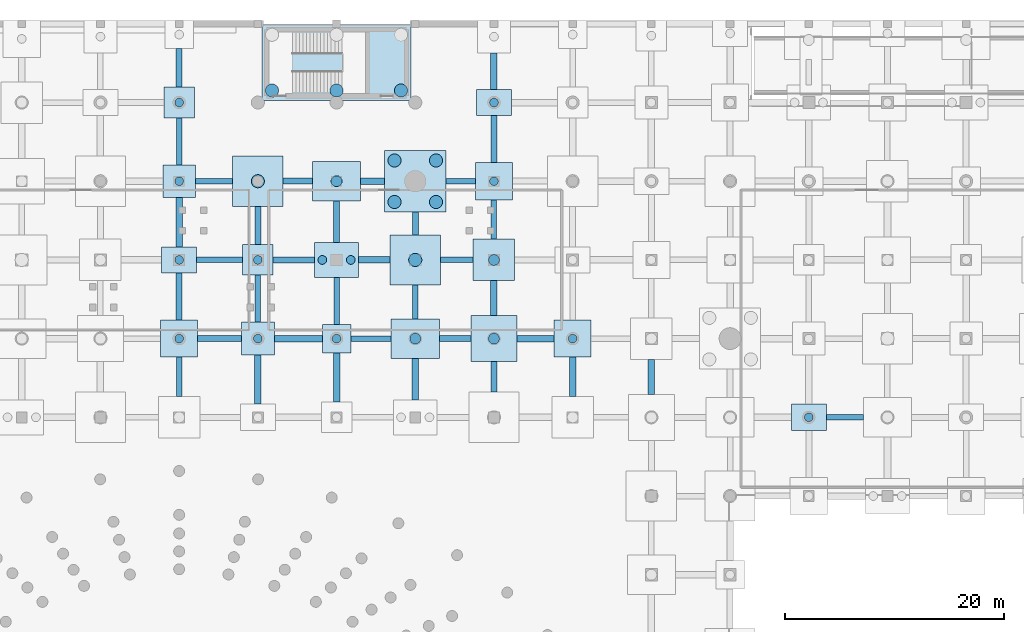
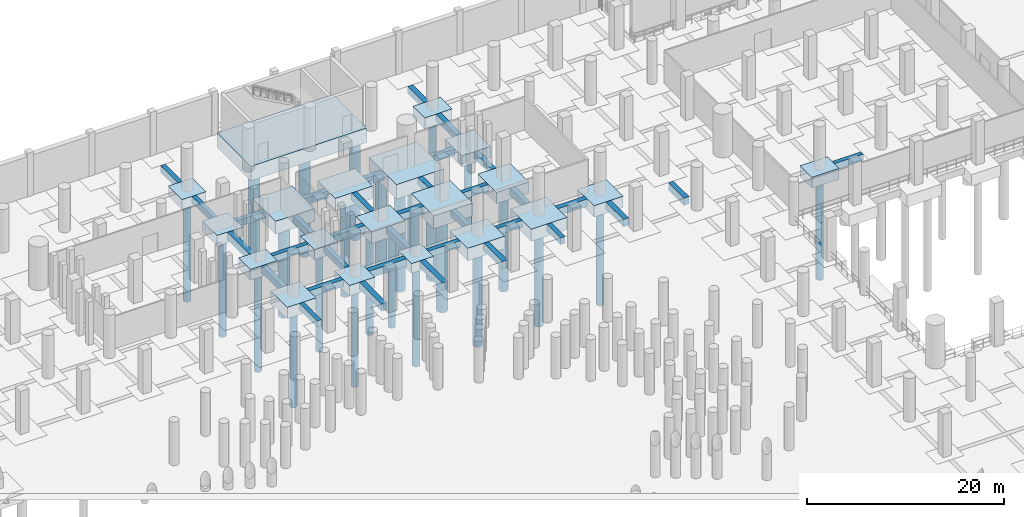
# One storey, part 10 of 37: 55 footings, 26 piles.
"""IFC4 building model written with IfcOpenShell, lengths in metres."""

from ifc_helpers import new_model, si_unit, direction, frame, origin, origin_2d, place, context, subcontext, project, spatial, rectangle, circle, extrude, material, material_profile, profile_set, type_object, element, save


model = new_model("IFC4")

# Units and contexts
model_context = context("Model", 3, precision=1e-05, world=origin(), true_north=direction((0.0, 1.0)))
body_context = subcontext(model_context, "Body", "Model", "MODEL_VIEW")
ifc_project = project(units=[si_unit("LENGTHUNIT", "METRE"), si_unit("AREAUNIT", "SQUARE_METRE"), si_unit("VOLUMEUNIT", "CUBIC_METRE"), si_unit("PLANEANGLEUNIT", "RADIAN"), si_unit("MASSUNIT", "GRAM", prefix="KILO")], contexts=[model_context])

# Site, building, storey
site_placement = place(None, origin())
site = spatial("IfcSite", under=ifc_project, at=site_placement, CompositionType="ELEMENT")
building_placement = place(site_placement, origin())
building = spatial("IfcBuilding", under=site, at=building_placement, Name="Qandorah Velis Arena", CompositionType="ELEMENT")
storey_placement = place(building_placement, frame((0.0, 0.0, -5.39990234375)))
storey = spatial("IfcBuildingStorey", under=building, at=storey_placement, Name="B1", CompositionType="ELEMENT", Elevation=-5.39990234375)

# Footings
ifc_material = material(Name="Concrete C40/50", Category="concrete")
footing_type_1 = type_object("IfcFootingType", Name="STR-CAP-PC10", PredefinedType="PILE_CAP", material=ifc_material)
footing_1_placement = place(storey_placement, frame((79.199951171875, 100.800048828125, -1.2001953125), z_axis=(0.0, 0.0, 1.0), x_axis=(1.0, 0.0, 0.0)))
element("IfcFooting", 1, at=footing_1_placement, inside=storey, type_object=footing_type_1, Name="Pile cap CAP-B1-167", PredefinedType="PILE_CAP", context=body_context, shape_type="SweptSolid", body=[
    extrude(rectangle(XDim=2.60009765625, YDim=2.60009765625, at=origin_2d()), origin(), (0.0, 0.0, 1.0), 1.199951171875),
])
footing_type_2 = type_object("IfcFootingType", Name="STR-CAP-PC11", PredefinedType="PILE_CAP", material=ifc_material)
footing_2_placement = place(storey_placement, frame((79.199951171875, 126.050048828125, -1.80029296875), z_axis=(0.0, 0.0, 1.0), x_axis=(1.0, 0.0, 0.0)))
element("IfcFooting", 2, at=footing_2_placement, inside=storey, type_object=footing_type_2, Name="Pile cap CAP-CORE-CORE-04", PredefinedType="PILE_CAP", context=body_context, shape_type="SweptSolid", body=[
    extrude(rectangle(XDim=13.60009765625, YDim=6.89990234375, at=origin_2d()), origin(), (0.0, 0.0, 1.0), 1.800048828125),
])
footing_type_3 = type_object("IfcFootingType", Name="STR-CAP-PC14", PredefinedType="PILE_CAP", material=ifc_material)
footing_3_placement = place(storey_placement, frame((79.199951171875, 108.0, -1.4501953125), z_axis=(0.0, 0.0, 1.0), x_axis=(1.0, 0.0, 0.0)))
element("IfcFooting", 3, at=footing_3_placement, inside=storey, type_object=footing_type_3, Name="Pile cap CAP-B1-168", PredefinedType="PILE_CAP", context=body_context, shape_type="SweptSolid", body=[
    extrude(rectangle(XDim=4.0, YDim=3.199951171875, at=origin_2d()), origin(), (0.0, 0.0, 1.0), 1.449951171875),
])
footing_type_4 = type_object("IfcFootingType", Name="STR-CAP-PC15", PredefinedType="PILE_CAP", material=ifc_material)
for number, where, z_axis, x_axis, name in (
    (4, (79.199951171875, 115.199951171875, -1.55029296875), (0.0, 0.0, 1.0), (1.0, 0.0, 0.0), "Pile cap CAP-B1-169"),
    (5, (86.39990234375, 100.800048828125, -1.55029296875), (0.0, 0.0, 1.0), (1.0, 0.0, 0.0), "Pile cap CAP-B1-179"),
):
    element("IfcFooting", number, at=place(storey_placement, frame(where, z_axis=z_axis, x_axis=x_axis)), inside=storey, type_object=footing_type_4, Name=name, PredefinedType="PILE_CAP", context=body_context, shape_type="SweptSolid", body=[
        extrude(rectangle(XDim=4.39990234375, YDim=3.60009765625, at=origin_2d()), origin(), (0.0, 0.0, 1.0), 1.550048828125),
    ])
footing_type_5 = type_object("IfcFootingType", Name="STR-CAP-PC2", PredefinedType="PILE_CAP", material=ifc_material)
footing_4_placement = place(storey_placement, frame((86.39990234375, 115.199951171875, -1.80029296875), z_axis=(0.0, 0.0, 1.0), x_axis=(1.0, 0.0, 0.0)))
element("IfcFooting", 6, at=footing_4_placement, inside=storey, type_object=footing_type_5, Name="Pile cap CAP-B1-181", PredefinedType="PILE_CAP", context=body_context, shape_type="SweptSolid", body=[
    extrude(rectangle(XDim=5.60009765625, YDim=5.60009765625, at=origin_2d()), origin(), (0.0, 0.0, 1.0), 1.800048828125),
])
footing_type_6 = type_object("IfcFootingType", Name="STR-CAP-PC3", PredefinedType="PILE_CAP", material=ifc_material)
for number, where, z_axis, x_axis, name in (
    (7, (72.0, 115.199951171875, -1.60009765625), (0.0, 0.0, 1.0), (1.0, 0.0, 0.0), "Pile cap CAP-B1-157"),
    (8, (86.39990234375, 108.0, -1.60009765625), (0.0, 0.0, 1.0), (1.0, 0.0, 0.0), "Pile cap CAP-B1-180"),
):
    element("IfcFooting", number, at=place(storey_placement, frame(where, z_axis=z_axis, x_axis=x_axis)), inside=storey, type_object=footing_type_6, Name=name, PredefinedType="PILE_CAP", context=body_context, shape_type="SweptSolid", body=[
        extrude(rectangle(XDim=4.60009765625, YDim=4.60009765625, at=origin_2d()), origin(), (0.0, 0.0, 1.0), 1.60009765625),
    ])
footing_type_7 = type_object("IfcFootingType", Name="STR-CAP-PC4", PredefinedType="PILE_CAP", material=ifc_material)
footing_5_placement = place(storey_placement, frame((93.60009765625, 100.800048828125, -1.5), z_axis=(0.0, 0.0, 1.0), x_axis=(1.0, 0.0, 0.0)))
element("IfcFooting", 9, at=footing_5_placement, inside=storey, type_object=footing_type_7, Name="Pile cap CAP-B1-191", PredefinedType="PILE_CAP", context=body_context, shape_type="SweptSolid", body=[
    extrude(rectangle(XDim=4.199951171875, YDim=4.199951171875, at=origin_2d()), origin(), (0.0, 0.0, 1.0), 1.5),
])
footing_type_8 = type_object("IfcFootingType", Name="STR-CAP-PC5", PredefinedType="PILE_CAP", material=ifc_material)
footing_6_placement = place(storey_placement, frame((93.60009765625, 108.0, -1.400146484375), z_axis=(0.0, 0.0, 1.0), x_axis=(1.0, 0.0, 0.0)))
element("IfcFooting", 10, at=footing_6_placement, inside=storey, type_object=footing_type_8, Name="Pile cap CAP-B1-192", PredefinedType="PILE_CAP", context=body_context, shape_type="SweptSolid", body=[
    extrude(rectangle(XDim=3.800048828125, YDim=3.800048828125, at=origin_2d()), origin(), (0.0, 0.0, 1.0), 1.39990234375),
])
footing_type_9 = type_object("IfcFootingType", Name="STR-CAP-PC6", PredefinedType="PILE_CAP", material=ifc_material)
for number, where, z_axis, x_axis, name in (
    (11, (64.800048828125, 100.800048828125, -1.400146484375), (0.0, 0.0, 1.0), (1.0, 0.0, 0.0), "Pile cap CAP-B1-143"),
    (12, (93.60009765625, 115.199951171875, -1.400146484375), (0.0, 0.0, 1.0), (1.0, 0.0, 0.0), "Pile cap CAP-B1-193"),
    (13, (100.800048828125, 100.800048828125, -1.400146484375), (0.0, 0.0, 1.0), (1.0, 0.0, 0.0), "Pile cap CAP-B1-203"),
):
    element("IfcFooting", number, at=place(storey_placement, frame(where, z_axis=z_axis, x_axis=x_axis)), inside=storey, type_object=footing_type_9, Name=name, PredefinedType="PILE_CAP", context=body_context, shape_type="SweptSolid", body=[
        extrude(rectangle(XDim=3.39990234375, YDim=3.39990234375, at=origin_2d()), origin(), (0.0, 0.0, 1.0), 1.39990234375),
    ])
footing_type_10 = type_object("IfcFootingType", Name="STR-CAP-PC7", PredefinedType="PILE_CAP", material=ifc_material)
for number, where, z_axis, x_axis, name in (
    (14, (64.800048828125, 108.0, -1.35009765625), (0.0, 0.0, 1.0), (1.0, 0.0, 0.0), "Pile cap CAP-B1-144"),
    (15, (93.60009765625, 122.39990234375, -1.35009765625), (0.0, 0.0, 1.0), (1.0, 0.0, 0.0), "Pile cap CAP-B1-194"),
    (16, (122.39990234375, 93.60009765625, -1.35009765625), (0.0, 0.0, 1.0), (1.0, 0.0, 0.0), "Pile cap CAP-B1-254"),
):
    element("IfcFooting", number, at=place(storey_placement, frame(where, z_axis=z_axis, x_axis=x_axis)), inside=storey, type_object=footing_type_10, Name=name, PredefinedType="PILE_CAP", context=body_context, shape_type="SweptSolid", body=[
        extrude(rectangle(XDim=3.199951171875, YDim=2.39990234375, at=origin_2d()), origin(), (0.0, 0.0, 1.0), 1.35009765625),
    ])
footing_type_11 = type_object("IfcFootingType", Name="STR-CAP-PC8", PredefinedType="PILE_CAP", material=ifc_material)
for number, where, z_axis, x_axis, name in (
    (17, (64.800048828125, 115.199951171875, -1.30029296875), (0.0, 0.0, 1.0), (1.0, 0.0, 0.0), "Pile cap CAP-B1-145"),
    (18, (72.0, 100.800048828125, -1.30029296875), (0.0, 0.0, 1.0), (1.0, 0.0, 0.0), "Pile cap CAP-B1-155"),
):
    element("IfcFooting", number, at=place(storey_placement, frame(where, z_axis=z_axis, x_axis=x_axis)), inside=storey, type_object=footing_type_11, Name=name, PredefinedType="PILE_CAP", context=body_context, shape_type="SweptSolid", body=[
        extrude(rectangle(XDim=3.0, YDim=3.0, at=origin_2d()), origin(), (0.0, 0.0, 1.0), 1.300048828125),
    ])
footing_type_12 = type_object("IfcFootingType", Name="STR-CAP-PC9", PredefinedType="PILE_CAP", material=ifc_material)
for number, where, z_axis, x_axis, name in (
    (19, (64.800048828125, 122.39990234375, -1.25), (0.0, 0.0, 1.0), (1.0, 0.0, 0.0), "Pile cap CAP-B1-146"),
    (20, (72.0, 108.0, -1.25), (0.0, 0.0, 1.0), (1.0, 0.0, 0.0), "Pile cap CAP-B1-156"),
):
    element("IfcFooting", number, at=place(storey_placement, frame(where, z_axis=z_axis, x_axis=x_axis)), inside=storey, type_object=footing_type_12, Name=name, PredefinedType="PILE_CAP", context=body_context, shape_type="SweptSolid", body=[
        extrude(rectangle(XDim=2.800048828125, YDim=2.800048828125, at=origin_2d()), origin(), (0.0, 0.0, 1.0), 1.25),
    ])
ifc_material_profile_1 = material_profile(ifc_material, rectangle(XDim=0.60009765625, YDim=0.89990234375, at=origin_2d()), Name="GB1 600x900")
ifc_profile_set_1 = profile_set([ifc_material_profile_1], Name="Concrete C40/50")
footing_type_13 = type_object("IfcFootingType", Name="STR-GB-FB1", PredefinedType="FOOTING_BEAM", material=ifc_profile_set_1)
for number, where, z_axis, x_axis, name in (
    (21, (64.800048828125, 109.199951171875, -0.4501953125), (0.0, 1.0, 0.0), (-1.0, 0.0, 0.0), "Ground tie beam GB-102"),
    (22, (72.0, 94.800048828125, -0.4501953125), (0.0, 1.0, 0.0), (-1.0, 0.0, 0.0), "Ground tie beam GB-108"),
    (23, (79.199951171875, 95.0, -0.4501953125), (0.0, 1.0, 0.0), (-1.0, 0.0, 0.0), "Ground tie beam GB-114"),
):
    element("IfcFooting", number, at=place(storey_placement, frame(where, z_axis=z_axis, x_axis=x_axis)), inside=storey, type_object=footing_type_13, Name=name, PredefinedType="FOOTING_BEAM", context=body_context, shape_type="SweptSolid", body=[
        extrude(rectangle(XDim=0.60009765625, YDim=0.89990234375, at=origin_2d()), origin(), (0.0, 0.0, 1.0), 4.5),
    ])
footing_7_placement = place(storey_placement, frame((86.39990234375, 95.199951171875, -0.4501953125), z_axis=(0.0, 1.0, 0.0), x_axis=(-1.0, 0.0, 0.0)))
element("IfcFooting", 24, at=footing_7_placement, inside=storey, type_object=footing_type_13, Name="Ground tie beam GB-120", PredefinedType="FOOTING_BEAM", context=body_context, shape_type="SweptSolid", body=[
    extrude(rectangle(XDim=0.60009765625, YDim=0.89990234375, at=origin_2d()), origin(), (0.0, 0.0, 1.0), 3.800048828125),
])
footing_8_placement = place(storey_placement, frame((93.60009765625, 102.89990234375, -0.4501953125), z_axis=(0.0, 1.0, 0.0), x_axis=(-1.0, 0.0, 0.0)))
element("IfcFooting", 25, at=footing_8_placement, inside=storey, type_object=footing_type_13, Name="Ground tie beam GB-129", PredefinedType="FOOTING_BEAM", context=body_context, shape_type="SweptSolid", body=[
    extrude(rectangle(XDim=0.60009765625, YDim=0.89990234375, at=origin_2d()), origin(), (0.0, 0.0, 1.0), 3.2001953125),
])
footing_9_placement = place(storey_placement, frame((93.60009765625, 123.60009765625, -0.4501953125), z_axis=(0.0, 1.0, 0.0), x_axis=(-1.0, 0.0, 0.0)))
element("IfcFooting", 26, at=footing_9_placement, inside=storey, type_object=footing_type_13, Name="Ground tie beam GB-132", PredefinedType="FOOTING_BEAM", context=body_context, shape_type="SweptSolid", body=[
    extrude(rectangle(XDim=0.60009765625, YDim=0.89990234375, at=origin_2d()), origin(), (0.0, 0.0, 1.0), 3.31982421875),
])
footing_10_placement = place(storey_placement, frame((100.800048828125, 95.5, -0.4501953125), z_axis=(0.0, 1.0, 0.0), x_axis=(-1.0, 0.0, 0.0)))
element("IfcFooting", 27, at=footing_10_placement, inside=storey, type_object=footing_type_13, Name="Ground tie beam GB-138", PredefinedType="FOOTING_BEAM", context=body_context, shape_type="SweptSolid", body=[
    extrude(rectangle(XDim=0.60009765625, YDim=0.89990234375, at=origin_2d()), origin(), (0.0, 0.0, 1.0), 3.60009765625),
])
footing_11_placement = place(storey_placement, frame((108.0, 95.699951171875, -0.4501953125), z_axis=(0.0, 1.0, 0.0), x_axis=(-1.0, 0.0, 0.0)))
element("IfcFooting", 28, at=footing_11_placement, inside=storey, type_object=footing_type_13, Name="Ground tie beam GB-156", PredefinedType="FOOTING_BEAM", context=body_context, shape_type="SweptSolid", body=[
    extrude(rectangle(XDim=0.60009765625, YDim=0.89990234375, at=origin_2d()), origin(), (0.0, 0.0, 1.0), 3.199951171875),
])
footing_12_placement = place(storey_placement, frame((73.5, 100.800048828125, -0.4501953125), z_axis=(1.0, 0.0, 0.0), x_axis=(0.0, 1.0, 0.0)))
element("IfcFooting", 29, at=footing_12_placement, inside=storey, type_object=footing_type_13, Name="Ground tie beam GB-456", PredefinedType="FOOTING_BEAM", context=body_context, shape_type="SweptSolid", body=[
    extrude(rectangle(XDim=0.60009765625, YDim=0.89990234375, at=origin_2d()), origin(), (0.0, 0.0, 1.0), 4.39990234375),
])
footing_13_placement = place(storey_placement, frame((95.699951171875, 100.800048828125, -0.4501953125), z_axis=(1.0, 0.0, 0.0), x_axis=(0.0, 1.0, 0.0)))
element("IfcFooting", 30, at=footing_13_placement, inside=storey, type_object=footing_type_13, Name="Ground tie beam GB-459", PredefinedType="FOOTING_BEAM", context=body_context, shape_type="SweptSolid", body=[
    extrude(rectangle(XDim=0.60009765625, YDim=0.89990234375, at=origin_2d()), origin(), (0.0, 0.0, 1.0), 3.400146484375),
])
footing_14_placement = place(storey_placement, frame((81.199951171875, 108.0, -0.4501953125), z_axis=(1.0, 0.0, 0.0), x_axis=(0.0, 1.0, 0.0)))
element("IfcFooting", 31, at=footing_14_placement, inside=storey, type_object=footing_type_13, Name="Ground tie beam GB-480", PredefinedType="FOOTING_BEAM", context=body_context, shape_type="SweptSolid", body=[
    extrude(rectangle(XDim=0.60009765625, YDim=0.89990234375, at=origin_2d()), origin(), (0.0, 0.0, 1.0), 2.900146484375),
])
footing_15_placement = place(storey_placement, frame((81.39990234375, 115.199951171875, -0.4501953125), z_axis=(1.0, 0.0, 0.0), x_axis=(0.0, 1.0, 0.0)))
element("IfcFooting", 32, at=footing_15_placement, inside=storey, type_object=footing_type_13, Name="Ground tie beam GB-501", PredefinedType="FOOTING_BEAM", context=body_context, shape_type="SweptSolid", body=[
    extrude(rectangle(XDim=0.60009765625, YDim=0.89990234375, at=origin_2d()), origin(), (0.0, 0.0, 1.0), 2.2001953125),
])
ifc_material_profile_2 = material_profile(ifc_material, rectangle(XDim=0.5, YDim=0.800048828125, at=origin_2d()), Name="GB2 500x800")
ifc_profile_set_2 = profile_set([ifc_material_profile_2], Name="Concrete C40/50")
footing_type_14 = type_object("IfcFootingType", Name="STR-GB-FB2", PredefinedType="FOOTING_BEAM", material=ifc_profile_set_2)
footing_16_placement = place(storey_placement, frame((64.800048828125, 95.5, -0.400146484375), z_axis=(0.0, 1.0, 0.0), x_axis=(-1.0, 0.0, 0.0)))
element("IfcFooting", 33, at=footing_16_placement, inside=storey, type_object=footing_type_14, Name="Ground tie beam GB-100", PredefinedType="FOOTING_BEAM", context=body_context, shape_type="SweptSolid", body=[
    extrude(rectangle(XDim=0.5, YDim=0.800048828125, at=origin_2d()), origin(), (0.0, 0.0, 1.0), 3.60009765625),
])
for number, where, z_axis, x_axis, name in (
    (34, (64.800048828125, 116.699951171875, -0.400146484375), (0.0, 1.0, 0.0), (-1.0, 0.0, 0.0), "Ground tie beam GB-103"),
    (35, (72.0, 102.300048828125, -0.400146484375), (0.0, 1.0, 0.0), (-1.0, 0.0, 0.0), "Ground tie beam GB-109"),
):
    element("IfcFooting", number, at=place(storey_placement, frame(where, z_axis=z_axis, x_axis=x_axis)), inside=storey, type_object=footing_type_14, Name=name, PredefinedType="FOOTING_BEAM", context=body_context, shape_type="SweptSolid", body=[
        extrude(rectangle(XDim=0.5, YDim=0.800048828125, at=origin_2d()), origin(), (0.0, 0.0, 1.0), 4.300048828125),
    ])
footing_17_placement = place(storey_placement, frame((79.199951171875, 102.10009765625, -0.400146484375), z_axis=(0.0, 1.0, 0.0), x_axis=(-1.0, 0.0, 0.0)))
element("IfcFooting", 36, at=footing_17_placement, inside=storey, type_object=footing_type_14, Name="Ground tie beam GB-115", PredefinedType="FOOTING_BEAM", context=body_context, shape_type="SweptSolid", body=[
    extrude(rectangle(XDim=0.5, YDim=0.800048828125, at=origin_2d()), origin(), (0.0, 0.0, 1.0), 4.2998046875),
])
footing_18_placement = place(storey_placement, frame((86.39990234375, 102.60009765625, -0.400146484375), z_axis=(0.0, 1.0, 0.0), x_axis=(-1.0, 0.0, 0.0)))
element("IfcFooting", 37, at=footing_18_placement, inside=storey, type_object=footing_type_14, Name="Ground tie beam GB-121", PredefinedType="FOOTING_BEAM", context=body_context, shape_type="SweptSolid", body=[
    extrude(rectangle(XDim=0.5, YDim=0.800048828125, at=origin_2d()), origin(), (0.0, 0.0, 1.0), 3.099853515625),
])
footing_19_placement = place(storey_placement, frame((93.60009765625, 109.89990234375, -0.400146484375), z_axis=(0.0, 1.0, 0.0), x_axis=(-1.0, 0.0, 0.0)))
element("IfcFooting", 38, at=footing_19_placement, inside=storey, type_object=footing_type_14, Name="Ground tie beam GB-130", PredefinedType="FOOTING_BEAM", context=body_context, shape_type="SweptSolid", body=[
    extrude(rectangle(XDim=0.5, YDim=0.800048828125, at=origin_2d()), origin(), (0.0, 0.0, 1.0), 3.60009765625),
])
footing_20_placement = place(storey_placement, frame((124.0, 93.60009765625, -0.400146484375), z_axis=(1.0, 0.0, 0.0), x_axis=(0.0, 1.0, 0.0)))
element("IfcFooting", 39, at=footing_20_placement, inside=storey, type_object=footing_type_14, Name="Ground tie beam GB-442", PredefinedType="FOOTING_BEAM", context=body_context, shape_type="SweptSolid", body=[
    extrude(rectangle(XDim=0.5, YDim=0.800048828125, at=origin_2d()), origin(), (0.0, 0.0, 1.0), 3.39990234375),
])
footing_21_placement = place(storey_placement, frame((80.5, 100.800048828125, -0.400146484375), z_axis=(1.0, 0.0, 0.0), x_axis=(0.0, 1.0, 0.0)))
element("IfcFooting", 40, at=footing_21_placement, inside=storey, type_object=footing_type_14, Name="Ground tie beam GB-457", PredefinedType="FOOTING_BEAM", context=body_context, shape_type="SweptSolid", body=[
    extrude(rectangle(XDim=0.5, YDim=0.800048828125, at=origin_2d()), origin(), (0.0, 0.0, 1.0), 3.699951171875),
])
footing_22_placement = place(storey_placement, frame((66.39990234375, 108.0, -0.400146484375), z_axis=(1.0, 0.0, 0.0), x_axis=(0.0, 1.0, 0.0)))
element("IfcFooting", 41, at=footing_22_placement, inside=storey, type_object=footing_type_14, Name="Ground tie beam GB-478", PredefinedType="FOOTING_BEAM", context=body_context, shape_type="SweptSolid", body=[
    extrude(rectangle(XDim=0.5, YDim=0.800048828125, at=origin_2d()), origin(), (0.0, 0.0, 1.0), 4.2001953125),
])
footing_23_placement = place(storey_placement, frame((88.699951171875, 108.0, -0.400146484375), z_axis=(1.0, 0.0, 0.0), x_axis=(0.0, 1.0, 0.0)))
element("IfcFooting", 42, at=footing_23_placement, inside=storey, type_object=footing_type_14, Name="Ground tie beam GB-481", PredefinedType="FOOTING_BEAM", context=body_context, shape_type="SweptSolid", body=[
    extrude(rectangle(XDim=0.5, YDim=0.800048828125, at=origin_2d()), origin(), (0.0, 0.0, 1.0), 3.0),
])
footing_24_placement = place(storey_placement, frame((66.300048828125, 115.199951171875, -0.400146484375), z_axis=(1.0, 0.0, 0.0), x_axis=(0.0, 1.0, 0.0)))
element("IfcFooting", 43, at=footing_24_placement, inside=storey, type_object=footing_type_14, Name="Ground tie beam GB-499", PredefinedType="FOOTING_BEAM", context=body_context, shape_type="SweptSolid", body=[
    extrude(rectangle(XDim=0.5, YDim=0.800048828125, at=origin_2d()), origin(), (0.0, 0.0, 1.0), 3.39990234375),
])
footing_25_placement = place(storey_placement, frame((89.199951171875, 115.199951171875, -0.400146484375), z_axis=(1.0, 0.0, 0.0), x_axis=(0.0, 1.0, 0.0)))
element("IfcFooting", 44, at=footing_25_placement, inside=storey, type_object=footing_type_14, Name="Ground tie beam GB-502", PredefinedType="FOOTING_BEAM", context=body_context, shape_type="SweptSolid", body=[
    extrude(rectangle(XDim=0.5, YDim=0.800048828125, at=origin_2d()), origin(), (0.0, 0.0, 1.0), 2.699951171875),
])
ifc_material_profile_3 = material_profile(ifc_material, rectangle(XDim=0.550048828125, YDim=0.85009765625, at=origin_2d()), Name="GB3 550x850")
ifc_profile_set_3 = profile_set([ifc_material_profile_3], Name="Concrete C40/50")
footing_type_15 = type_object("IfcFootingType", Name="STR-GB-FB3", PredefinedType="FOOTING_BEAM", material=ifc_profile_set_3)
footing_26_placement = place(storey_placement, frame((64.800048828125, 102.5, -0.425048828125), z_axis=(0.0, 1.0, 0.0), x_axis=(-1.0, 0.0, 0.0)))
element("IfcFooting", 45, at=footing_26_placement, inside=storey, type_object=footing_type_15, Name="Ground tie beam GB-101", PredefinedType="FOOTING_BEAM", context=body_context, shape_type="SweptSolid", body=[
    extrude(rectangle(XDim=0.550048828125, YDim=0.85009765625, at=origin_2d()), origin(), (0.0, 0.0, 1.0), 4.300048828125),
])
footing_27_placement = place(storey_placement, frame((64.800048828125, 123.800048828125, -0.425048828125), z_axis=(0.0, 1.0, 0.0), x_axis=(-1.0, 0.0, 0.0)))
element("IfcFooting", 46, at=footing_27_placement, inside=storey, type_object=footing_type_15, Name="Ground tie beam GB-104", PredefinedType="FOOTING_BEAM", context=body_context, shape_type="SweptSolid", body=[
    extrude(rectangle(XDim=0.550048828125, YDim=0.85009765625, at=origin_2d()), origin(), (0.0, 0.0, 1.0), 3.52001953125),
])
footing_28_placement = place(storey_placement, frame((72.0, 109.39990234375, -0.425048828125), z_axis=(0.0, 1.0, 0.0), x_axis=(-1.0, 0.0, 0.0)))
element("IfcFooting", 47, at=footing_28_placement, inside=storey, type_object=footing_type_15, Name="Ground tie beam GB-110", PredefinedType="FOOTING_BEAM", context=body_context, shape_type="SweptSolid", body=[
    extrude(rectangle(XDim=0.550048828125, YDim=0.85009765625, at=origin_2d()), origin(), (0.0, 0.0, 1.0), 3.5),
])
footing_29_placement = place(storey_placement, frame((79.199951171875, 109.60009765625, -0.425048828125), z_axis=(0.0, 1.0, 0.0), x_axis=(-1.0, 0.0, 0.0)))
element("IfcFooting", 48, at=footing_29_placement, inside=storey, type_object=footing_type_15, Name="Ground tie beam GB-116", PredefinedType="FOOTING_BEAM", context=body_context, shape_type="SweptSolid", body=[
    extrude(rectangle(XDim=0.550048828125, YDim=0.85009765625, at=origin_2d()), origin(), (0.0, 0.0, 1.0), 3.7998046875),
])
footing_30_placement = place(storey_placement, frame((86.39990234375, 110.300048828125, -0.425048828125), z_axis=(0.0, 1.0, 0.0), x_axis=(-1.0, 0.0, 0.0)))
element("IfcFooting", 49, at=footing_30_placement, inside=storey, type_object=footing_type_15, Name="Ground tie beam GB-122", PredefinedType="FOOTING_BEAM", context=body_context, shape_type="SweptSolid", body=[
    extrude(rectangle(XDim=0.550048828125, YDim=0.85009765625, at=origin_2d()), origin(), (0.0, 0.0, 1.0), 2.099853515625),
])
footing_31_placement = place(storey_placement, frame((93.60009765625, 95.89990234375, -0.425048828125), z_axis=(0.0, 1.0, 0.0), x_axis=(-1.0, 0.0, 0.0)))
element("IfcFooting", 50, at=footing_31_placement, inside=storey, type_object=footing_type_15, Name="Ground tie beam GB-128", PredefinedType="FOOTING_BEAM", context=body_context, shape_type="SweptSolid", body=[
    extrude(rectangle(XDim=0.550048828125, YDim=0.85009765625, at=origin_2d()), origin(), (0.0, 0.0, 1.0), 2.800048828125),
])
footing_32_placement = place(storey_placement, frame((93.60009765625, 116.89990234375, -0.425048828125), z_axis=(0.0, 1.0, 0.0), x_axis=(-1.0, 0.0, 0.0)))
element("IfcFooting", 51, at=footing_32_placement, inside=storey, type_object=footing_type_15, Name="Ground tie beam GB-131", PredefinedType="FOOTING_BEAM", context=body_context, shape_type="SweptSolid", body=[
    extrude(rectangle(XDim=0.550048828125, YDim=0.85009765625, at=origin_2d()), origin(), (0.0, 0.0, 1.0), 4.300048828125),
])
footing_33_placement = place(storey_placement, frame((66.5, 100.800048828125, -0.425048828125), z_axis=(1.0, 0.0, 0.0), x_axis=(0.0, 1.0, 0.0)))
element("IfcFooting", 52, at=footing_33_placement, inside=storey, type_object=footing_type_15, Name="Ground tie beam GB-455", PredefinedType="FOOTING_BEAM", context=body_context, shape_type="SweptSolid", body=[
    extrude(rectangle(XDim=0.550048828125, YDim=0.85009765625, at=origin_2d()), origin(), (0.0, 0.0, 1.0), 4.0),
])
footing_34_placement = place(storey_placement, frame((88.60009765625, 100.800048828125, -0.425048828125), z_axis=(1.0, 0.0, 0.0), x_axis=(0.0, 1.0, 0.0)))
element("IfcFooting", 53, at=footing_34_placement, inside=storey, type_object=footing_type_15, Name="Ground tie beam GB-458", PredefinedType="FOOTING_BEAM", context=body_context, shape_type="SweptSolid", body=[
    extrude(rectangle(XDim=0.550048828125, YDim=0.85009765625, at=origin_2d()), origin(), (0.0, 0.0, 1.0), 2.89990234375),
])
footing_35_placement = place(storey_placement, frame((73.39990234375, 108.0, -0.425048828125), z_axis=(1.0, 0.0, 0.0), x_axis=(0.0, 1.0, 0.0)))
element("IfcFooting", 54, at=footing_35_placement, inside=storey, type_object=footing_type_15, Name="Ground tie beam GB-479", PredefinedType="FOOTING_BEAM", context=body_context, shape_type="SweptSolid", body=[
    extrude(rectangle(XDim=0.550048828125, YDim=0.85009765625, at=origin_2d()), origin(), (0.0, 0.0, 1.0), 3.800048828125),
])
footing_36_placement = place(storey_placement, frame((74.300048828125, 115.199951171875, -0.425048828125), z_axis=(1.0, 0.0, 0.0), x_axis=(0.0, 1.0, 0.0)))
element("IfcFooting", 55, at=footing_36_placement, inside=storey, type_object=footing_type_15, Name="Ground tie beam GB-500", PredefinedType="FOOTING_BEAM", context=body_context, shape_type="SweptSolid", body=[
    extrude(rectangle(XDim=0.550048828125, YDim=0.85009765625, at=origin_2d()), origin(), (0.0, 0.0, 1.0), 2.699951171875),
])

# Piles
ifc_material_profile_4 = material_profile(ifc_material, circle(Radius=0.5, at=origin_2d()), Name="BORED PILE D1000")
ifc_profile_set_4 = profile_set([ifc_material_profile_4], Name="Concrete C40/50")
pile_type_1 = type_object("IfcPileType", Name="STR-PILE-BP1000", PredefinedType="BORED", material=ifc_profile_set_4)
for number, where, z_axis, x_axis, name in (
    (56, (79.199951171875, 115.199951171875, -1.4501953125), (0.0, 0.0, -1.0), (1.0, 0.0, 0.0), "Bored pile PILE-CAP-B1-169-11"),
    (57, (86.39990234375, 100.800048828125, -1.4501953125), (0.0, 0.0, -1.0), (1.0, 0.0, 0.0), "Bored pile PILE-CAP-B1-179-11"),
):
    element("IfcPile", number, at=place(storey_placement, frame(where, z_axis=z_axis, x_axis=x_axis)), inside=storey, type_object=pile_type_1, Name=name, PredefinedType="BORED", context=body_context, shape_type="SweptSolid", body=[
        extrude(circle(Radius=0.5, at=origin_2d()), origin(), (0.0, 0.0, 1.0), 12.35009765625),
    ])
pile_1_placement = place(storey_placement, frame((93.60009765625, 100.800048828125, -1.400146484375), z_axis=(0.0, 0.0, -1.0), x_axis=(1.0, 0.0, 0.0)))
element("IfcPile", 58, at=pile_1_placement, inside=storey, type_object=pile_type_1, Name="Bored pile PILE-CAP-B1-191-11", PredefinedType="BORED", context=body_context, shape_type="SweptSolid", body=[
    extrude(circle(Radius=0.5, at=origin_2d()), origin(), (0.0, 0.0, 1.0), 12.39990234375),
])
pile_2_placement = place(storey_placement, frame((93.60009765625, 108.0, -1.300048828125), z_axis=(0.0, 0.0, -1.0), x_axis=(1.0, 0.0, 0.0)))
element("IfcPile", 59, at=pile_2_placement, inside=storey, type_object=pile_type_1, Name="Bored pile PILE-CAP-B1-192-11", PredefinedType="BORED", context=body_context, shape_type="SweptSolid", body=[
    extrude(circle(Radius=0.5, at=origin_2d()), origin(), (0.0, 0.0, 1.0), 12.5),
])
ifc_material_profile_5 = material_profile(ifc_material, circle(Radius=0.60009765625, at=origin_2d()), Name="BORED PILE D1200")
ifc_profile_set_5 = profile_set([ifc_material_profile_5], Name="Concrete C40/50")
pile_type_2 = type_object("IfcPileType", Name="STR-PILE-BP1200", PredefinedType="BORED", material=ifc_profile_set_5)
for number, where, z_axis, x_axis, name in (
    (60, (73.300048828125, 123.5, -1.7001953125), (0.0, 0.0, -1.0), (1.0, 0.0, 0.0), "Bored pile PILE-CAP-CORE-CORE-04-11"),
    (61, (79.199951171875, 123.5, -1.7001953125), (0.0, 0.0, -1.0), (1.0, 0.0, 0.0), "Bored pile PILE-CAP-CORE-CORE-04-21"),
    (62, (85.10009765625, 123.5, -1.7001953125), (0.0, 0.0, -1.0), (1.0, 0.0, 0.0), "Bored pile PILE-CAP-CORE-CORE-04-31"),
):
    element("IfcPile", number, at=place(storey_placement, frame(where, z_axis=z_axis, x_axis=x_axis)), inside=storey, type_object=pile_type_2, Name=name, PredefinedType="BORED", context=body_context, shape_type="SweptSolid", body=[
        extrude(circle(Radius=0.60009765625, at=origin_2d()), origin(), (0.0, 0.0, 1.0), 12.10009765625),
    ])
for number, where, z_axis, x_axis, name in (
    (63, (72.0, 115.199951171875, -1.5), (0.0, 0.0, -1.0), (1.0, 0.0, 0.0), "Bored pile PILE-CAP-B1-157-11"),
    (64, (86.39990234375, 108.0, -1.5), (0.0, 0.0, -1.0), (1.0, 0.0, 0.0), "Bored pile PILE-CAP-B1-180-11"),
):
    element("IfcPile", number, at=place(storey_placement, frame(where, z_axis=z_axis, x_axis=x_axis)), inside=storey, type_object=pile_type_2, Name=name, PredefinedType="BORED", context=body_context, shape_type="SweptSolid", body=[
        extrude(circle(Radius=0.60009765625, at=origin_2d()), origin(), (0.0, 0.0, 1.0), 12.300048828125),
    ])
for number, where, z_axis, x_axis, name in (
    (65, (84.5, 113.300048828125, -1.7001953125), (0.0, 0.0, -1.0), (1.0, 0.0, 0.0), "Bored pile PILE-CAP-B1-181-11"),
    (66, (84.5, 117.10009765625, -1.7001953125), (0.0, 0.0, -1.0), (1.0, 0.0, 0.0), "Bored pile PILE-CAP-B1-181-12"),
    (67, (88.300048828125, 113.300048828125, -1.7001953125), (0.0, 0.0, -1.0), (1.0, 0.0, 0.0), "Bored pile PILE-CAP-B1-181-21"),
    (68, (88.300048828125, 117.10009765625, -1.7001953125), (0.0, 0.0, -1.0), (1.0, 0.0, 0.0), "Bored pile PILE-CAP-B1-181-22"),
):
    element("IfcPile", number, at=place(storey_placement, frame(where, z_axis=z_axis, x_axis=x_axis)), inside=storey, type_object=pile_type_2, Name=name, PredefinedType="BORED", context=body_context, shape_type="SweptSolid", body=[
        extrude(circle(Radius=0.60009765625, at=origin_2d()), origin(), (0.0, 0.0, 1.0), 12.10009765625),
    ])
ifc_material_profile_6 = material_profile(ifc_material, circle(Radius=0.39990234375, at=origin_2d()), Name="BORED PILE D800")
ifc_profile_set_6 = profile_set([ifc_material_profile_6], Name="Concrete C40/50")
pile_type_3 = type_object("IfcPileType", Name="STR-PILE-BP800", PredefinedType="BORED", material=ifc_profile_set_6)
pile_3_placement = place(storey_placement, frame((64.800048828125, 100.800048828125, -1.300048828125), z_axis=(0.0, 0.0, -1.0), x_axis=(1.0, 0.0, 0.0)))
element("IfcPile", 69, at=pile_3_placement, inside=storey, type_object=pile_type_3, Name="Bored pile PILE-CAP-B1-143-11", PredefinedType="BORED", context=body_context, shape_type="SweptSolid", body=[
    extrude(circle(Radius=0.39990234375, at=origin_2d()), origin(), (0.0, 0.0, 1.0), 12.5),
])
pile_4_placement = place(storey_placement, frame((64.800048828125, 108.0, -1.25), z_axis=(0.0, 0.0, -1.0), x_axis=(1.0, 0.0, 0.0)))
element("IfcPile", 70, at=pile_4_placement, inside=storey, type_object=pile_type_3, Name="Bored pile PILE-CAP-B1-144-11", PredefinedType="BORED", context=body_context, shape_type="SweptSolid", body=[
    extrude(circle(Radius=0.39990234375, at=origin_2d()), origin(), (0.0, 0.0, 1.0), 12.550048828125),
])
pile_5_placement = place(storey_placement, frame((64.800048828125, 115.199951171875, -1.2001953125), z_axis=(0.0, 0.0, -1.0), x_axis=(1.0, 0.0, 0.0)))
element("IfcPile", 71, at=pile_5_placement, inside=storey, type_object=pile_type_3, Name="Bored pile PILE-CAP-B1-145-11", PredefinedType="BORED", context=body_context, shape_type="SweptSolid", body=[
    extrude(circle(Radius=0.39990234375, at=origin_2d()), origin(), (0.0, 0.0, 1.0), 12.60009765625),
])
pile_6_placement = place(storey_placement, frame((64.800048828125, 122.39990234375, -1.150146484375), z_axis=(0.0, 0.0, -1.0), x_axis=(1.0, 0.0, 0.0)))
element("IfcPile", 72, at=pile_6_placement, inside=storey, type_object=pile_type_3, Name="Bored pile PILE-CAP-B1-146-11", PredefinedType="BORED", context=body_context, shape_type="SweptSolid", body=[
    extrude(circle(Radius=0.39990234375, at=origin_2d()), origin(), (0.0, 0.0, 1.0), 12.64990234375),
])
pile_7_placement = place(storey_placement, frame((72.0, 100.800048828125, -1.2001953125), z_axis=(0.0, 0.0, -1.0), x_axis=(1.0, 0.0, 0.0)))
element("IfcPile", 73, at=pile_7_placement, inside=storey, type_object=pile_type_3, Name="Bored pile PILE-CAP-B1-155-11", PredefinedType="BORED", context=body_context, shape_type="SweptSolid", body=[
    extrude(circle(Radius=0.39990234375, at=origin_2d()), origin(), (0.0, 0.0, 1.0), 12.60009765625),
])
pile_8_placement = place(storey_placement, frame((72.0, 108.0, -1.150146484375), z_axis=(0.0, 0.0, -1.0), x_axis=(1.0, 0.0, 0.0)))
element("IfcPile", 74, at=pile_8_placement, inside=storey, type_object=pile_type_3, Name="Bored pile PILE-CAP-B1-156-11", PredefinedType="BORED", context=body_context, shape_type="SweptSolid", body=[
    extrude(circle(Radius=0.39990234375, at=origin_2d()), origin(), (0.0, 0.0, 1.0), 12.64990234375),
])
pile_9_placement = place(storey_placement, frame((79.199951171875, 100.800048828125, -1.10009765625), z_axis=(0.0, 0.0, -1.0), x_axis=(1.0, 0.0, 0.0)))
element("IfcPile", 75, at=pile_9_placement, inside=storey, type_object=pile_type_3, Name="Bored pile PILE-CAP-B1-167-11", PredefinedType="BORED", context=body_context, shape_type="SweptSolid", body=[
    extrude(circle(Radius=0.39990234375, at=origin_2d()), origin(), (0.0, 0.0, 1.0), 12.699951171875),
])
for number, where, z_axis, x_axis, name in (
    (76, (77.89990234375, 108.0, -1.35009765625), (0.0, 0.0, -1.0), (1.0, 0.0, 0.0), "Bored pile PILE-CAP-B1-168-11"),
    (77, (80.5, 108.0, -1.35009765625), (0.0, 0.0, -1.0), (1.0, 0.0, 0.0), "Bored pile PILE-CAP-B1-168-21"),
):
    element("IfcPile", number, at=place(storey_placement, frame(where, z_axis=z_axis, x_axis=x_axis)), inside=storey, type_object=pile_type_3, Name=name, PredefinedType="BORED", context=body_context, shape_type="SweptSolid", body=[
        extrude(circle(Radius=0.39990234375, at=origin_2d()), origin(), (0.0, 0.0, 1.0), 12.449951171875),
    ])
pile_10_placement = place(storey_placement, frame((93.60009765625, 115.199951171875, -1.300048828125), z_axis=(0.0, 0.0, -1.0), x_axis=(1.0, 0.0, 0.0)))
element("IfcPile", 78, at=pile_10_placement, inside=storey, type_object=pile_type_3, Name="Bored pile PILE-CAP-B1-193-11", PredefinedType="BORED", context=body_context, shape_type="SweptSolid", body=[
    extrude(circle(Radius=0.39990234375, at=origin_2d()), origin(), (0.0, 0.0, 1.0), 12.5),
])
pile_11_placement = place(storey_placement, frame((93.60009765625, 122.39990234375, -1.25), z_axis=(0.0, 0.0, -1.0), x_axis=(1.0, 0.0, 0.0)))
element("IfcPile", 79, at=pile_11_placement, inside=storey, type_object=pile_type_3, Name="Bored pile PILE-CAP-B1-194-11", PredefinedType="BORED", context=body_context, shape_type="SweptSolid", body=[
    extrude(circle(Radius=0.39990234375, at=origin_2d()), origin(), (0.0, 0.0, 1.0), 12.550048828125),
])
pile_12_placement = place(storey_placement, frame((100.800048828125, 100.800048828125, -1.300048828125), z_axis=(0.0, 0.0, -1.0), x_axis=(1.0, 0.0, 0.0)))
element("IfcPile", 80, at=pile_12_placement, inside=storey, type_object=pile_type_3, Name="Bored pile PILE-CAP-B1-203-11", PredefinedType="BORED", context=body_context, shape_type="SweptSolid", body=[
    extrude(circle(Radius=0.39990234375, at=origin_2d()), origin(), (0.0, 0.0, 1.0), 12.5),
])
pile_13_placement = place(storey_placement, frame((122.39990234375, 93.60009765625, -1.25), z_axis=(0.0, 0.0, -1.0), x_axis=(1.0, 0.0, 0.0)))
element("IfcPile", 81, at=pile_13_placement, inside=storey, type_object=pile_type_3, Name="Bored pile PILE-CAP-B1-254-11", PredefinedType="BORED", context=body_context, shape_type="SweptSolid", body=[
    extrude(circle(Radius=0.39990234375, at=origin_2d()), origin(), (0.0, 0.0, 1.0), 12.550048828125),
])

save(model, "model.ifc")
